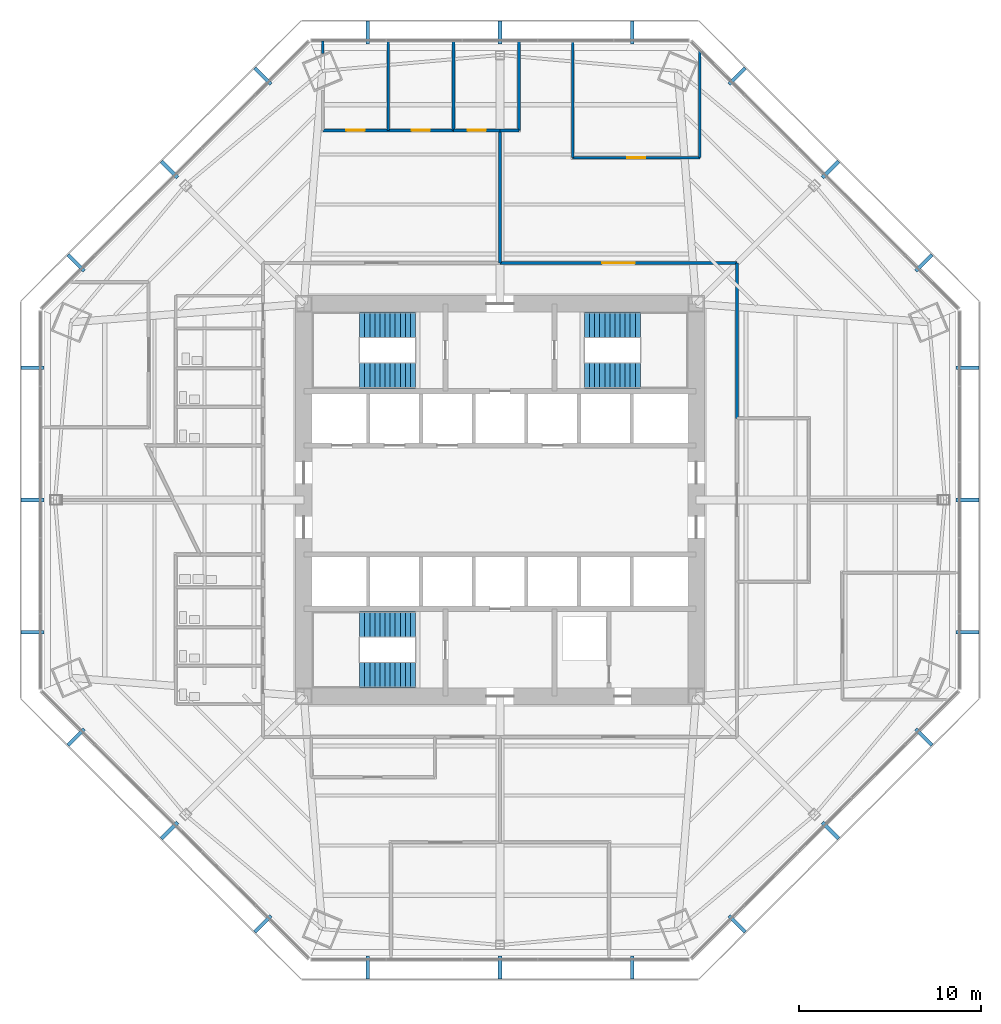
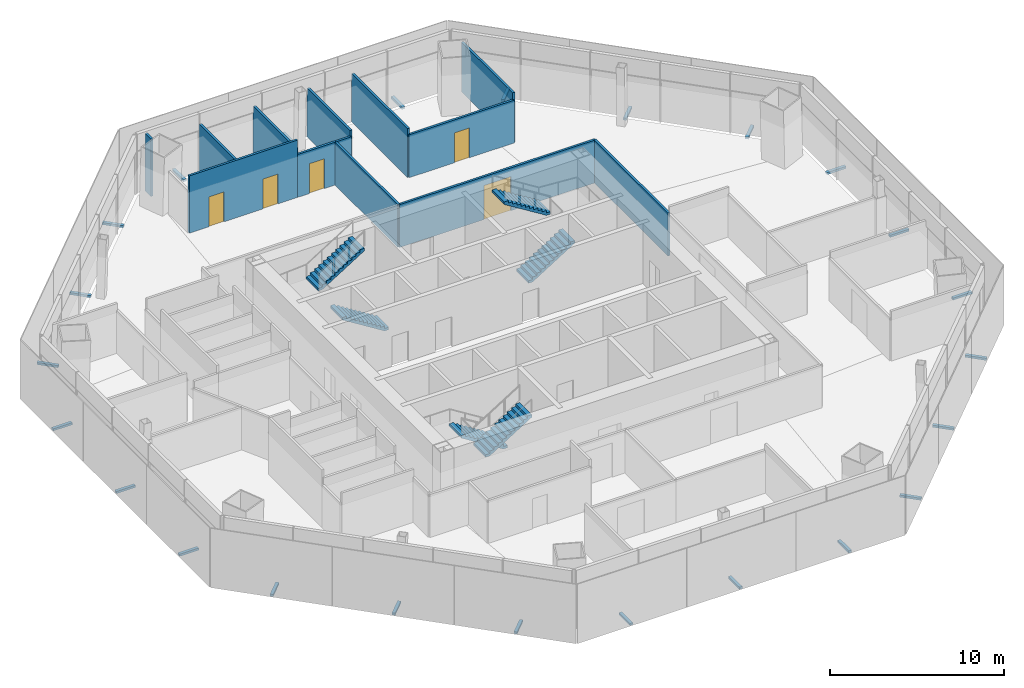
# One storey, part 12 of 16: 24 discrete accessories, 13 walls, 6 stair flights, 5 doors, 5 openings, 3 elements without a shape of their own.
"""IFC4 building model written with IfcOpenShell, lengths in metres."""

from ifc_helpers import new_model, si_unit, direction, frame, frame_2d, origin, origin_2d, place, context, subcontext, project, spatial, polyline, rectangle, outline, extrude, source, transform, mapped, material, layer, layer_set, type_object, type_shapes, element, fill, aggregate, save


model = new_model("IFC4")

# Units and contexts
model_context = context("Model", 3, precision=1e-05, world=origin(), true_north=direction((0.0, 1.0)))
body_context = subcontext(model_context, "Body", "Model", "MODEL_VIEW")
ifc_project = project(units=[si_unit("LENGTHUNIT", "METRE"), si_unit("AREAUNIT", "SQUARE_METRE"), si_unit("VOLUMEUNIT", "CUBIC_METRE"), si_unit("PLANEANGLEUNIT", "RADIAN"), si_unit("MASSUNIT", "GRAM", prefix="KILO")], contexts=[model_context])

# Site, building, storey
site_placement = place(None, origin())
site = spatial("IfcSite", under=ifc_project, at=site_placement, CompositionType="ELEMENT")
building_placement = place(site_placement, origin())
building = spatial("IfcBuilding", under=site, at=building_placement, Name="Mashrafa Tower", CompositionType="ELEMENT")
storey_placement = place(building_placement, frame((0.0, 0.0, 96.0)))
storey = spatial("IfcBuildingStorey", under=building, at=storey_placement, Name="L21", CompositionType="ELEMENT", Elevation=96.0)

# Wall
ifc_material_1 = material(Name="Gypsum board on steel studs", Category="steel")
ifc_layer_1 = layer(ifc_material_1, 0.14990234375)
ifc_layer_set_1 = layer_set([ifc_layer_1], Name="Corridor partition 150 1 hr")
wall_type_1 = type_object("IfcWallType", Name="Corridor partition 150 1 hr", PredefinedType="PARTITIONING", material=ifc_layer_set_1)
wall_1_placement = place(storey_placement, frame((13.050048828125, 4.4990234375, 0.0), z_axis=(0.0, 0.0, 1.0), x_axis=(0.0, 1.0, 0.0)))
element("IfcWall", 1, at=wall_1_placement, inside=storey, type_object=wall_type_1, Name="Corridor wall L21-012", PredefinedType="PARTITIONING", context=body_context, shape_type="SweptSolid", body=[
    extrude(rectangle(XDim=8.551025390625, YDim=0.14990234375, at=frame_2d((4.275390625, 0.0))), origin(), (0.0, 0.0, 1.0), 3.01416015625),
])

# Wall, opening, door
wall_2_placement = place(storey_placement, frame((13.050048828125, 13.050048828125, 0.0), z_axis=(0.0, 0.0, 1.0), x_axis=(-1.0, 0.0, 0.0)))
wall_2 = element("IfcWall", 2, at=wall_2_placement, inside=storey, type_object=wall_type_1, Name="Corridor wall L21-013", PredefinedType="PARTITIONING", context=body_context, shape_type="SweptSolid", body=[
    extrude(rectangle(XDim=13.051025390625, YDim=0.14990234375, at=frame_2d((6.525390625, 0.0))), origin(), (0.0, 0.0, 1.0), 3.01416015625),
])
opening_1_placement = place(wall_2_placement, frame((5.62548828125, 0.0, 0.0)))
opening_1 = element("IfcOpeningElement", 3, at=opening_1_placement, cuts=wall_2, Name="Opening 21.019", PredefinedType="OPENING", context=body_context, shape_type="SweptSolid", body=[
    extrude(rectangle(XDim=1.800048828125, YDim=2.39990234375, at=frame_2d((0.89990234375, 1.199951171875))), frame((0.0, 0.0849609375, 0.0), z_axis=(0.0, -1.0, 0.0), x_axis=(1.0, 0.0, 0.0)), (0.0, 0.0, 1.0), 0.169921875),
])
ifc_material_2 = material(Name="Timber door", Category="wood")
door_type_1 = type_object("IfcDoorType", Name="Door pair 1800 x 2400", OperationType="DOUBLE_DOOR_SINGLE_SWING", PredefinedType="DOOR", material=ifc_material_2)
door_1_placement = place(opening_1_placement, frame((1.800048828125, 0.0, 0.0), z_axis=(0.0, 0.0, 1.0), x_axis=(-1.0, 0.0, 0.0)))
door_1 = element("IfcDoor", 4, at=door_1_placement, inside=storey, type_object=door_type_1, Name="Executive Support Office 21-NE door", OperationType="DOUBLE_DOOR_SINGLE_SWING", OverallHeight=2.39990234375, OverallWidth=1.800048828125, PredefinedType="DOOR", context=body_context, shape_type="SweptSolid", body=[
    extrude(rectangle(XDim=1.800048828125, YDim=2.39990234375, at=frame_2d((0.89990234375, 1.199951171875))), frame((0.0, 0.02490234375, 0.0), z_axis=(0.0, -1.0, 0.0), x_axis=(1.0, 0.0, 0.0)), (0.0, 0.0, 1.0), 0.050048828125),
])
fill(opening_1, door_1)

# Wall
ifc_material_3 = material(Name="Gypsum board on steel studs", Category="steel")
ifc_layer_2 = layer(ifc_material_3, 0.14990234375)
ifc_layer_set_2 = layer_set([ifc_layer_2], Name="Partition 150")
wall_type_2 = type_object("IfcWallType", Name="Partition 150", PredefinedType="PARTITIONING", material=ifc_layer_set_2)
wall_3_placement = place(storey_placement, frame((4.0, 25.281005859375, 0.0), z_axis=(0.0, 0.0, 1.0), x_axis=(0.0, -1.0, 0.0)))
element("IfcWall", 5, at=wall_3_placement, inside=storey, type_object=wall_type_2, Name="Partition wall L21-047", PredefinedType="PARTITIONING", context=body_context, shape_type="SweptSolid", body=[
    extrude(rectangle(XDim=6.431884765625, YDim=0.14990234375, at=frame_2d((3.2158203125, 0.0))), origin(), (0.0, 0.0, 1.0), 3.423095703125),
])

# Wall, opening, door
wall_4_placement = place(storey_placement, frame((4.0, 18.84912109375, 0.0), z_axis=(0.0, 0.0, 1.0), x_axis=(1.0, 0.0, 0.0)))
wall_4 = element("IfcWall", 6, at=wall_4_placement, inside=storey, type_object=wall_type_2, Name="Partition wall L21-048", PredefinedType="PARTITIONING", context=body_context, shape_type="SweptSolid", body=[
    extrude(rectangle(XDim=7.0, YDim=0.14990234375, at=frame_2d((3.5, 0.0))), origin(), (0.0, 0.0, 1.0), 3.01416015625),
])
opening_2_placement = place(wall_4_placement, frame((3.0, 0.0, 0.0)))
opening_2 = element("IfcOpeningElement", 7, at=opening_2_placement, cuts=wall_4, Name="Opening 21.011", PredefinedType="OPENING", context=body_context, shape_type="SweptSolid", body=[
    extrude(rectangle(XDim=1.0, YDim=2.10009765625, at=frame_2d((0.5, 1.050048828125))), frame((0.0, 0.0849609375, 0.0), z_axis=(0.0, -1.0, 0.0), x_axis=(1.0, 0.0, 0.0)), (0.0, 0.0, 1.0), 0.169921875),
])
ifc_material_4 = material(Name="Timber door", Category="wood")
door_type_2 = type_object("IfcDoorType", Name="Door 1000 x 2100", OperationType="USERDEFINED", PredefinedType="DOOR", material=ifc_material_4)
door_2_placement = place(opening_2_placement, origin())
door_2 = element("IfcDoor", 8, at=door_2_placement, inside=storey, type_object=door_type_2, Name="Chairman's Office 21 door", OperationType="SINGLE_SWING_RIGHT", OverallHeight=2.10009765625, OverallWidth=1.0, PredefinedType="DOOR", context=body_context, shape_type="SweptSolid", body=[
    extrude(rectangle(XDim=1.0, YDim=2.10009765625, at=frame_2d((0.5, 1.050048828125))), frame((0.0, 0.02490234375, 0.0), z_axis=(0.0, -1.0, 0.0), x_axis=(1.0, 0.0, 0.0)), (0.0, 0.0, 1.0), 0.050048828125),
])
fill(opening_2, door_2)

# Walls
wall_5_placement = place(storey_placement, frame((11.0, 18.84912109375, 0.0), z_axis=(0.0, 0.0, 1.0), x_axis=(0.0, 1.0, 0.0)))
element("IfcWall", 9, at=wall_5_placement, inside=storey, type_object=wall_type_2, Name="Partition wall L21-049", PredefinedType="PARTITIONING", context=body_context, shape_type="SweptSolid", body=[
    extrude(rectangle(XDim=5.9052734375, YDim=0.14990234375, at=frame_2d((2.95263671875, 0.0))), origin(), (0.0, 0.0, 1.0), 3.49658203125),
])
wall_6_placement = place(storey_placement, frame((-2.55908203125, 25.281005859375, 0.0), z_axis=(0.0, 0.0, 1.0), x_axis=(0.0, -1.0, 0.0)))
element("IfcWall", 10, at=wall_6_placement, inside=storey, type_object=wall_type_2, Name="Partition wall L21-063", PredefinedType="PARTITIONING", context=body_context, shape_type="SweptSolid", body=[
    extrude(rectangle(XDim=4.931884765625, YDim=0.14990234375, at=frame_2d((2.4658203125, 0.0))), origin(), (0.0, 0.0, 1.0), 3.423095703125),
])
wall_7_placement = place(storey_placement, frame((-0.0009765625, 20.34912109375, 0.0), z_axis=(0.0, 0.0, 1.0), x_axis=(1.0, 0.0, 0.0)))
element("IfcWall", 11, at=wall_7_placement, inside=storey, type_object=wall_type_2, Name="Partition wall L21-064", PredefinedType="PARTITIONING", context=body_context, shape_type="SweptSolid", body=[
    extrude(rectangle(XDim=1.0419921875, YDim=0.14990234375, at=frame_2d((0.52099609375, 0.0))), origin(), (0.0, 0.0, 1.0), 3.01416015625),
])
wall_8_placement = place(storey_placement, frame((1.041015625, 20.34912109375, 0.0), z_axis=(0.0, 0.0, 1.0), x_axis=(0.0, 1.0, 0.0)))
element("IfcWall", 12, at=wall_8_placement, inside=storey, type_object=wall_type_2, Name="Partition wall L21-065", PredefinedType="PARTITIONING", context=body_context, shape_type="SweptSolid", body=[
    extrude(rectangle(XDim=4.931884765625, YDim=0.14990234375, at=frame_2d((2.4658203125, 0.0))), origin(), (0.0, 0.0, 1.0), 3.423095703125),
])

# Wall, opening, door
wall_9_placement = place(storey_placement, frame((-2.55908203125, 20.34912109375, 0.0), z_axis=(0.0, 0.0, 1.0), x_axis=(1.0, 0.0, 0.0)))
wall_9 = element("IfcWall", 13, at=wall_9_placement, inside=storey, type_object=wall_type_2, Name="Partition wall L21-066", PredefinedType="PARTITIONING", context=body_context, shape_type="SweptSolid", body=[
    extrude(rectangle(XDim=2.56005859375, YDim=0.14990234375, at=frame_2d((1.280029296875, 0.0))), origin(), (0.0, 0.0, 1.0), 3.01416015625),
])
opening_3_placement = place(wall_9_placement, frame((0.780029296875, 0.0, 0.0)))
opening_3 = element("IfcOpeningElement", 14, at=opening_3_placement, cuts=wall_9, Name="Opening 21.016", PredefinedType="OPENING", context=body_context, shape_type="SweptSolid", body=[
    extrude(rectangle(XDim=1.0, YDim=2.10009765625, at=frame_2d((0.5, 1.050048828125))), frame((0.0, 0.0849609375, 0.0), z_axis=(0.0, -1.0, 0.0), x_axis=(1.0, 0.0, 0.0)), (0.0, 0.0, 1.0), 0.169921875),
])
door_3_placement = place(opening_3_placement, origin())
door_3 = element("IfcDoor", 15, at=door_3_placement, inside=storey, type_object=door_type_2, Name="Executive Office 21-1 door", OperationType="SINGLE_SWING_LEFT", OverallHeight=2.10009765625, OverallWidth=1.0, PredefinedType="DOOR", context=body_context, shape_type="SweptSolid", body=[
    extrude(rectangle(XDim=1.0, YDim=2.10009765625, at=frame_2d((0.5, 1.050048828125))), frame((0.0, 0.02490234375, 0.0), z_axis=(0.0, -1.0, 0.0), x_axis=(1.0, 0.0, 0.0)), (0.0, 0.0, 1.0), 0.050048828125),
])
fill(opening_3, door_3)

# Wall
wall_10_placement = place(storey_placement, frame((-6.158935546875, 25.281005859375, 0.0), z_axis=(0.0, 0.0, 1.0), x_axis=(0.0, -1.0, 0.0)))
element("IfcWall", 16, at=wall_10_placement, inside=storey, type_object=wall_type_2, Name="Partition wall L21-067", PredefinedType="PARTITIONING", context=body_context, shape_type="SweptSolid", body=[
    extrude(rectangle(XDim=4.931884765625, YDim=0.14990234375, at=frame_2d((2.4658203125, 0.0))), origin(), (0.0, 0.0, 1.0), 3.423095703125),
])

# Wall, openings, doors
wall_11_placement = place(storey_placement, frame((-2.55908203125, 20.34912109375, 0.0), z_axis=(0.0, 0.0, 1.0), x_axis=(-1.0, 0.0, 0.0)))
wall_11 = element("IfcWall", 17, at=wall_11_placement, inside=storey, type_object=wall_type_2, Name="Partition wall L21-068", PredefinedType="PARTITIONING", context=body_context, shape_type="SweptSolid", body=[
    extrude(rectangle(XDim=7.199951171875, YDim=0.14990234375, at=frame_2d((3.60009765625, 0.0))), origin(), (0.0, 0.0, 1.0), 4.034912109375),
])
opening_4_placement = place(wall_11_placement, frame((1.300048828125, 0.0, 0.0)))
opening_4 = element("IfcOpeningElement", 18, at=opening_4_placement, cuts=wall_11, Name="Opening 21.017", PredefinedType="OPENING", context=body_context, shape_type="SweptSolid", body=[
    extrude(rectangle(XDim=1.0, YDim=2.10009765625, at=frame_2d((0.5, 1.050048828125))), frame((0.0, 0.0849609375, 0.0), z_axis=(0.0, -1.0, 0.0), x_axis=(1.0, 0.0, 0.0)), (0.0, 0.0, 1.0), 0.169921875),
])
opening_5_placement = place(wall_11_placement, frame((4.89990234375, 0.0, 0.0)))
opening_5 = element("IfcOpeningElement", 19, at=opening_5_placement, cuts=wall_11, Name="Opening 21.018", PredefinedType="OPENING", context=body_context, shape_type="SweptSolid", body=[
    extrude(rectangle(XDim=1.0, YDim=2.10009765625, at=frame_2d((0.5, 1.050048828125))), frame((0.0, 0.0849609375, 0.0), z_axis=(0.0, -1.0, 0.0), x_axis=(1.0, 0.0, 0.0)), (0.0, 0.0, 1.0), 0.169921875),
])
door_4_placement = place(opening_4_placement, frame((1.0, 0.0, 0.0), z_axis=(0.0, 0.0, 1.0), x_axis=(-1.0, 0.0, 0.0)))
door_4 = element("IfcDoor", 20, at=door_4_placement, inside=storey, type_object=door_type_2, Name="Executive Office 21-2 door", OperationType="SINGLE_SWING_RIGHT", OverallHeight=2.10009765625, OverallWidth=1.0, PredefinedType="DOOR", context=body_context, shape_type="SweptSolid", body=[
    extrude(rectangle(XDim=1.0, YDim=2.10009765625, at=frame_2d((0.5, 1.050048828125))), frame((0.0, 0.02490234375, 0.0), z_axis=(0.0, -1.0, 0.0), x_axis=(1.0, 0.0, 0.0)), (0.0, 0.0, 1.0), 0.050048828125),
])
fill(opening_4, door_4)
door_5_placement = place(opening_5_placement, frame((1.0, 0.0, 0.0), z_axis=(0.0, 0.0, 1.0), x_axis=(-1.0, 0.0, 0.0)))
door_5 = element("IfcDoor", 21, at=door_5_placement, inside=storey, type_object=door_type_2, Name="Executive Office 21-3 door", OperationType="SINGLE_SWING_LEFT", OverallHeight=2.10009765625, OverallWidth=1.0, PredefinedType="DOOR", context=body_context, shape_type="SweptSolid", body=[
    extrude(rectangle(XDim=1.0, YDim=2.10009765625, at=frame_2d((0.5, 1.050048828125))), frame((0.0, 0.02490234375, 0.0), z_axis=(0.0, -1.0, 0.0), x_axis=(1.0, 0.0, 0.0)), (0.0, 0.0, 1.0), 0.050048828125),
])
fill(opening_5, door_5)

# Walls
wall_12_placement = place(storey_placement, frame((-9.759033203125, 25.281005859375, 0.0), z_axis=(0.0, 0.0, 1.0), x_axis=(0.0, -1.0, 0.0)))
element("IfcWall", 22, at=wall_12_placement, inside=storey, type_object=wall_type_2, Name="Partition wall L21-069", PredefinedType="PARTITIONING", context=body_context, shape_type="SweptSolid", body=[
    extrude(rectangle(XDim=0.708740234375, YDim=0.14990234375, at=frame_2d((0.3544921875, 0.0))), origin(), (0.0, 0.0, 1.0), 4.034912109375),
])
wall_13_placement = place(storey_placement, frame((0.0, 20.34912109375, 0.0), z_axis=(0.0, 0.0, 1.0), x_axis=(0.0, -1.0, 0.0)))
element("IfcWall", 23, at=wall_13_placement, inside=storey, type_object=wall_type_2, Name="Partition wall L21-072", PredefinedType="PARTITIONING", context=body_context, shape_type="SweptSolid", body=[
    extrude(rectangle(XDim=7.299072265625, YDim=0.14990234375, at=frame_2d((3.6494140625, 0.0))), origin(), (0.0, 0.0, 1.0), 3.01416015625),
])

# Stair, stair flights
ifc_material_5 = material(Name="Exit stair 1400")
stair_type = type_object("IfcStairType", Name="Exit stair 1400", PredefinedType="HALF_TURN_STAIR", material=ifc_material_5)
stair_1_placement = place(storey_placement, origin())
stair_1 = element("IfcStair", 24, at=stair_1_placement, inside=storey, type_object=stair_type, Name="Stair S1 L21", PredefinedType="HALF_TURN_STAIR")
ifc_material_6 = material(Name="Concrete C32/40", Category="concrete")
stair_flight_type = type_object("IfcStairFlightType", Name="Stair flight 1400", PredefinedType="STRAIGHT", material=ifc_material_6)
stair_flight_1_placement = place(storey_placement, frame((-4.64990234375, 6.85009765625, 0.0), z_axis=(0.0, 0.0, 1.0), x_axis=(-1.0, 0.0, 0.0)))
stair_flight_1 = element("IfcStairFlight", 25, at=stair_flight_1_placement, type_object=stair_flight_type, Name="S1 flight 1", NumberOfRisers=12, NumberOfTreads=11, PredefinedType="STRAIGHT", RiserHeight=0.175, TreadLength=0.28, context=body_context, shape_type="SweptSolid", body=[
    extrude(outline(polyline([(0.0, 0.0), (0.0, 0.175048828125), (0.280029296875, 0.175048828125), (0.280029296875, 0.35009765625), (0.56005859375, 0.35009765625), (0.56005859375, 0.52490234375), (0.840087890625, 0.52490234375), (0.840087890625, 0.699951171875), (1.1201171875, 0.699951171875), (1.1201171875, 0.875), (1.39990234375, 0.875), (1.39990234375, 1.050048828125), (1.679931640625, 1.050048828125), (1.679931640625, 1.22509765625), (1.9599609375, 1.22509765625), (1.9599609375, 1.39990234375), (2.239990234375, 1.39990234375), (2.239990234375, 1.574951171875), (2.52001953125, 1.574951171875), (2.52001953125, 1.75), (2.800048828125, 1.75), (2.800048828125, 1.925048828125), (3.080078125, 1.925048828125), (3.080078125, 2.10009765625), (3.080078125, 1.748291015625), (0.28271484375, 0.0), (0.0, 0.0)])), frame((0.0, 0.699951171875, 0.0), z_axis=(0.0, -1.0, 0.0), x_axis=(1.0, 0.0, 0.0)), (0.0, 0.0, 1.0), 1.39990234375),
])
stair_flight_2_placement = place(storey_placement, frame((-7.72998046875, 9.64990234375, 2.10009765625), z_axis=(0.0, 0.0, 1.0), x_axis=(1.0, 0.0, 0.0)))
stair_flight_2 = element("IfcStairFlight", 26, at=stair_flight_2_placement, type_object=stair_flight_type, Name="S1 flight 2", NumberOfRisers=12, NumberOfTreads=11, PredefinedType="STRAIGHT", RiserHeight=0.175, TreadLength=0.28, context=body_context, shape_type="SweptSolid", body=[
    extrude(outline(polyline([(0.0, 0.0), (0.0, 0.175048828125), (0.280029296875, 0.175048828125), (0.280029296875, 0.35009765625), (0.56005859375, 0.35009765625), (0.56005859375, 0.52490234375), (0.840087890625, 0.52490234375), (0.840087890625, 0.699951171875), (1.1201171875, 0.699951171875), (1.1201171875, 0.875), (1.39990234375, 0.875), (1.39990234375, 1.050048828125), (1.679931640625, 1.050048828125), (1.679931640625, 1.22509765625), (1.9599609375, 1.22509765625), (1.9599609375, 1.39990234375), (2.239990234375, 1.39990234375), (2.239990234375, 1.574951171875), (2.52001953125, 1.574951171875), (2.52001953125, 1.75), (2.800048828125, 1.75), (2.800048828125, 1.925048828125), (3.080078125, 1.925048828125), (3.080078125, 2.10009765625), (3.080078125, 1.748291015625), (0.28271484375, 0.0), (0.0, 0.0)])), frame((0.0, 0.699951171875, 0.0), z_axis=(0.0, -1.0, 0.0), x_axis=(1.0, 0.0, 0.0)), (0.0, 0.0, 1.0), 1.39990234375),
])
aggregate(stair_1, [stair_flight_1, stair_flight_2])

stair_2_placement = place(storey_placement, origin())
stair_2 = element("IfcStair", 27, at=stair_2_placement, inside=storey, type_object=stair_type, Name="Stair S2 L21", PredefinedType="HALF_TURN_STAIR")
stair_flight_3_placement = place(storey_placement, frame((4.64990234375, 6.85009765625, 0.0), z_axis=(0.0, 0.0, 1.0), x_axis=(1.0, 0.0, 0.0)))
stair_flight_3 = element("IfcStairFlight", 28, at=stair_flight_3_placement, type_object=stair_flight_type, Name="S2 flight 1", NumberOfRisers=12, NumberOfTreads=11, PredefinedType="STRAIGHT", RiserHeight=0.175, TreadLength=0.28, context=body_context, shape_type="SweptSolid", body=[
    extrude(outline(polyline([(0.0, 0.0), (0.0, 0.175048828125), (0.280029296875, 0.175048828125), (0.280029296875, 0.35009765625), (0.56005859375, 0.35009765625), (0.56005859375, 0.52490234375), (0.840087890625, 0.52490234375), (0.840087890625, 0.699951171875), (1.1201171875, 0.699951171875), (1.1201171875, 0.875), (1.39990234375, 0.875), (1.39990234375, 1.050048828125), (1.679931640625, 1.050048828125), (1.679931640625, 1.22509765625), (1.9599609375, 1.22509765625), (1.9599609375, 1.39990234375), (2.239990234375, 1.39990234375), (2.239990234375, 1.574951171875), (2.52001953125, 1.574951171875), (2.52001953125, 1.75), (2.800048828125, 1.75), (2.800048828125, 1.925048828125), (3.080078125, 1.925048828125), (3.080078125, 2.10009765625), (3.080078125, 1.748291015625), (0.28271484375, 0.0), (0.0, 0.0)])), frame((0.0, 0.699951171875, 0.0), z_axis=(0.0, -1.0, 0.0), x_axis=(1.0, 0.0, 0.0)), (0.0, 0.0, 1.0), 1.39990234375),
])
stair_flight_4_placement = place(storey_placement, frame((7.72998046875, 9.64990234375, 2.10009765625), z_axis=(0.0, 0.0, 1.0), x_axis=(-1.0, 0.0, 0.0)))
stair_flight_4 = element("IfcStairFlight", 29, at=stair_flight_4_placement, type_object=stair_flight_type, Name="S2 flight 2", NumberOfRisers=12, NumberOfTreads=11, PredefinedType="STRAIGHT", RiserHeight=0.175, TreadLength=0.28, context=body_context, shape_type="SweptSolid", body=[
    extrude(outline(polyline([(0.0, 0.0), (0.0, 0.175048828125), (0.280029296875, 0.175048828125), (0.280029296875, 0.35009765625), (0.56005859375, 0.35009765625), (0.56005859375, 0.52490234375), (0.840087890625, 0.52490234375), (0.840087890625, 0.699951171875), (1.1201171875, 0.699951171875), (1.1201171875, 0.875), (1.39990234375, 0.875), (1.39990234375, 1.050048828125), (1.679931640625, 1.050048828125), (1.679931640625, 1.22509765625), (1.9599609375, 1.22509765625), (1.9599609375, 1.39990234375), (2.239990234375, 1.39990234375), (2.239990234375, 1.574951171875), (2.52001953125, 1.574951171875), (2.52001953125, 1.75), (2.800048828125, 1.75), (2.800048828125, 1.925048828125), (3.080078125, 1.925048828125), (3.080078125, 2.10009765625), (3.080078125, 1.748291015625), (0.28271484375, 0.0), (0.0, 0.0)])), frame((0.0, 0.699951171875, 0.0), z_axis=(0.0, -1.0, 0.0), x_axis=(1.0, 0.0, 0.0)), (0.0, 0.0, 1.0), 1.39990234375),
])
aggregate(stair_2, [stair_flight_3, stair_flight_4])

stair_3_placement = place(storey_placement, origin())
stair_3 = element("IfcStair", 30, at=stair_3_placement, inside=storey, type_object=stair_type, Name="Stair S3 L21", PredefinedType="HALF_TURN_STAIR")
stair_flight_5_placement = place(storey_placement, frame((-4.64990234375, -6.85009765625, 0.0), z_axis=(0.0, 0.0, 1.0), x_axis=(-1.0, 0.0, 0.0)))
stair_flight_5 = element("IfcStairFlight", 31, at=stair_flight_5_placement, type_object=stair_flight_type, Name="S3 flight 1", NumberOfRisers=12, NumberOfTreads=11, PredefinedType="STRAIGHT", RiserHeight=0.175, TreadLength=0.28, context=body_context, shape_type="SweptSolid", body=[
    extrude(outline(polyline([(0.0, 0.0), (0.0, 0.175048828125), (0.280029296875, 0.175048828125), (0.280029296875, 0.35009765625), (0.56005859375, 0.35009765625), (0.56005859375, 0.52490234375), (0.840087890625, 0.52490234375), (0.840087890625, 0.699951171875), (1.1201171875, 0.699951171875), (1.1201171875, 0.875), (1.39990234375, 0.875), (1.39990234375, 1.050048828125), (1.679931640625, 1.050048828125), (1.679931640625, 1.22509765625), (1.9599609375, 1.22509765625), (1.9599609375, 1.39990234375), (2.239990234375, 1.39990234375), (2.239990234375, 1.574951171875), (2.52001953125, 1.574951171875), (2.52001953125, 1.75), (2.800048828125, 1.75), (2.800048828125, 1.925048828125), (3.080078125, 1.925048828125), (3.080078125, 2.10009765625), (3.080078125, 1.748291015625), (0.28271484375, 0.0), (0.0, 0.0)])), frame((0.0, 0.699951171875, 0.0), z_axis=(0.0, -1.0, 0.0), x_axis=(1.0, 0.0, 0.0)), (0.0, 0.0, 1.0), 1.39990234375),
])
stair_flight_6_placement = place(storey_placement, frame((-7.72998046875, -9.64990234375, 2.10009765625), z_axis=(0.0, 0.0, 1.0), x_axis=(1.0, 0.0, 0.0)))
stair_flight_6 = element("IfcStairFlight", 32, at=stair_flight_6_placement, type_object=stair_flight_type, Name="S3 flight 2", NumberOfRisers=12, NumberOfTreads=11, PredefinedType="STRAIGHT", RiserHeight=0.175, TreadLength=0.28, context=body_context, shape_type="SweptSolid", body=[
    extrude(outline(polyline([(0.0, 0.0), (0.0, 0.175048828125), (0.280029296875, 0.175048828125), (0.280029296875, 0.35009765625), (0.56005859375, 0.35009765625), (0.56005859375, 0.52490234375), (0.840087890625, 0.52490234375), (0.840087890625, 0.699951171875), (1.1201171875, 0.699951171875), (1.1201171875, 0.875), (1.39990234375, 0.875), (1.39990234375, 1.050048828125), (1.679931640625, 1.050048828125), (1.679931640625, 1.22509765625), (1.9599609375, 1.22509765625), (1.9599609375, 1.39990234375), (2.239990234375, 1.39990234375), (2.239990234375, 1.574951171875), (2.52001953125, 1.574951171875), (2.52001953125, 1.75), (2.800048828125, 1.75), (2.800048828125, 1.925048828125), (3.080078125, 1.925048828125), (3.080078125, 2.10009765625), (3.080078125, 1.748291015625), (0.28271484375, 0.0), (0.0, 0.0)])), frame((0.0, 0.699951171875, 0.0), z_axis=(0.0, -1.0, 0.0), x_axis=(1.0, 0.0, 0.0)), (0.0, 0.0, 1.0), 1.39990234375),
])
aggregate(stair_3, [stair_flight_5, stair_flight_6])

# Discrete accessories
ifc_material_7 = material(Name="Stainless steel screen bracket", Category="steel")
discrete_accessory_type = type_object("IfcDiscreteAccessoryType", Name="Screen support bracket 200 x 150", PredefinedType="BRACKET", material=ifc_material_7)
shared_shape = source(origin(), body_context, "Body", "SweptSolid", [
    extrude(rectangle(XDim=0.199951171875, YDim=1.27001953125, at=origin_2d()), origin(), (0.0, 0.0, 1.0), 0.14990234375),
])
type_shapes(discrete_accessory_type, [shared_shape])
for number, where, z_axis, x_axis, name in (
    (33, (25.734130859375, -7.27490234375, -0.14990234375), (0.0, 0.0, 1.0), (0.0, 1.0, 0.0), "Screen support bracket L21 east 1"),
    (34, (25.734130859375, 0.0, -0.14990234375), (0.0, 0.0, 1.0), (0.0, 1.0, 0.0), "Screen support bracket L21 east 2"),
    (35, (25.734130859375, 7.27490234375, -0.14990234375), (0.0, 0.0, 1.0), (0.0, 1.0, 0.0), "Screen support bracket L21 east 3"),
    (36, (23.3408203125, 13.052490234375, -0.14990234375), (0.0, 0.0, 1.0), (-0.707106781187, 0.707106781187, 0.0), "Screen support bracket L21 north-east 1"),
    (37, (18.19677734375, 18.19677734375, -0.14990234375), (0.0, 0.0, 1.0), (-0.707106781187, 0.707106781187, 0.0), "Screen support bracket L21 north-east 2"),
    (38, (13.052490234375, 23.3408203125, -0.14990234375), (0.0, 0.0, 1.0), (-0.707106781187, 0.707106781187, 0.0), "Screen support bracket L21 north-east 3"),
    (39, (7.27490234375, 25.734130859375, -0.14990234375), (0.0, 0.0, 1.0), (-1.0, 0.0, 0.0), "Screen support bracket L21 north 1"),
    (40, (0.0, 25.734130859375, -0.14990234375), (0.0, 0.0, 1.0), (-1.0, 0.0, 0.0), "Screen support bracket L21 north 2"),
    (41, (-7.27490234375, 25.734130859375, -0.14990234375), (0.0, 0.0, 1.0), (-1.0, 0.0, 0.0), "Screen support bracket L21 north 3"),
    (42, (-13.052490234375, 23.3408203125, -0.14990234375), (0.0, 0.0, 1.0), (-0.707106781187, -0.707106781187, 0.0), "Screen support bracket L21 north-west 1"),
    (43, (-18.19677734375, 18.19677734375, -0.14990234375), (0.0, 0.0, 1.0), (-0.707106781187, -0.707106781187, 0.0), "Screen support bracket L21 north-west 2"),
    (44, (-23.3408203125, 13.052490234375, -0.14990234375), (0.0, 0.0, 1.0), (-0.707106781187, -0.707106781187, 0.0), "Screen support bracket L21 north-west 3"),
    (45, (-25.734130859375, 7.27490234375, -0.14990234375), (0.0, 0.0, 1.0), (0.0, -1.0, 0.0), "Screen support bracket L21 west 1"),
    (46, (-25.734130859375, 0.0, -0.14990234375), (0.0, 0.0, 1.0), (0.0, -1.0, 0.0), "Screen support bracket L21 west 2"),
    (47, (-25.734130859375, -7.27490234375, -0.14990234375), (0.0, 0.0, 1.0), (0.0, -1.0, 0.0), "Screen support bracket L21 west 3"),
    (48, (-23.3408203125, -13.052490234375, -0.14990234375), (0.0, 0.0, 1.0), (0.707106781187, -0.707106781187, 0.0), "Screen support bracket L21 south-west 1"),
    (49, (-18.19677734375, -18.19677734375, -0.14990234375), (0.0, 0.0, 1.0), (0.707106781187, -0.707106781187, 0.0), "Screen support bracket L21 south-west 2"),
    (50, (-13.052490234375, -23.3408203125, -0.14990234375), (0.0, 0.0, 1.0), (0.707106781187, -0.707106781187, 0.0), "Screen support bracket L21 south-west 3"),
    (51, (-7.27490234375, -25.734130859375, -0.14990234375), (0.0, 0.0, 1.0), (1.0, 0.0, 0.0), "Screen support bracket L21 south 1"),
    (52, (0.0, -25.734130859375, -0.14990234375), (0.0, 0.0, 1.0), (1.0, 0.0, 0.0), "Screen support bracket L21 south 2"),
    (53, (7.27490234375, -25.734130859375, -0.14990234375), (0.0, 0.0, 1.0), (1.0, 0.0, 0.0), "Screen support bracket L21 south 3"),
    (54, (13.052490234375, -23.3408203125, -0.14990234375), (0.0, 0.0, 1.0), (0.707106781187, 0.707106781187, 0.0), "Screen support bracket L21 south-east 1"),
    (55, (18.19677734375, -18.19677734375, -0.14990234375), (0.0, 0.0, 1.0), (0.707106781187, 0.707106781187, 0.0), "Screen support bracket L21 south-east 2"),
    (56, (23.3408203125, -13.052490234375, -0.14990234375), (0.0, 0.0, 1.0), (0.707106781187, 0.707106781187, 0.0), "Screen support bracket L21 south-east 3"),
):
    element("IfcDiscreteAccessory", number, at=place(storey_placement, frame(where, z_axis=z_axis, x_axis=x_axis)), inside=storey, type_object=discrete_accessory_type, Name=name, PredefinedType="BRACKET", context=body_context, shape_type="MappedRepresentation", body=[
        mapped(shared_shape, transform((0.0, 0.0, 0.0))),
    ])

save(model, "model.ifc")
